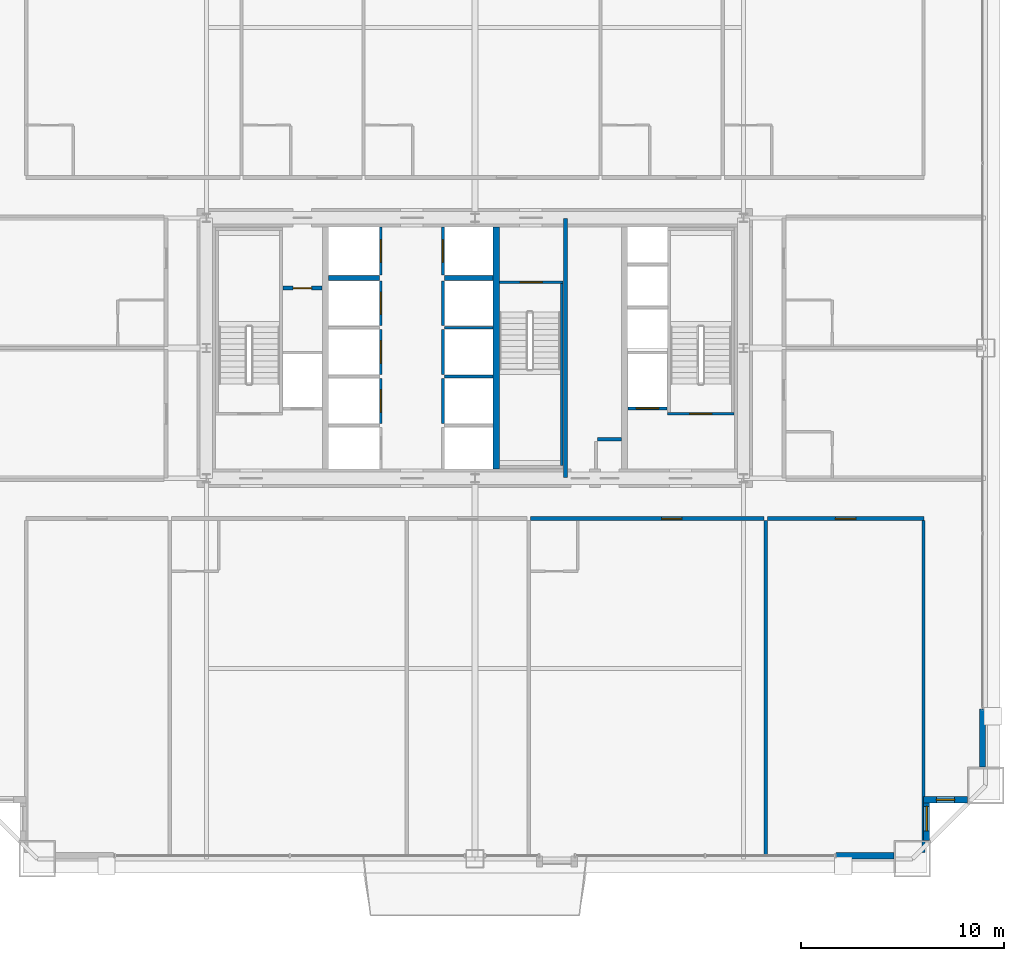
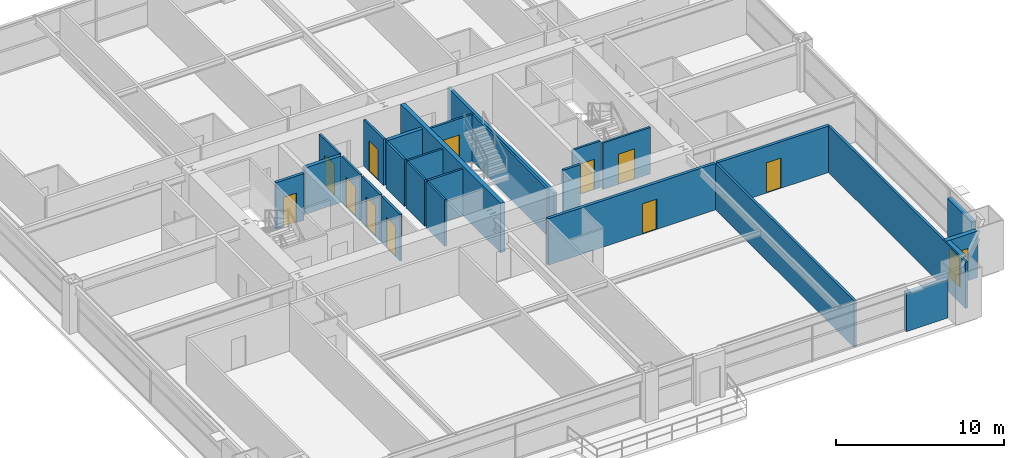
# One storey, part 40 of 43: 28 walls, 11 doors, 2 windows, 13 openings.
"""IFC4 building model written with IfcOpenShell, lengths in metres."""

from ifc_helpers import new_model, si_unit, direction, frame, frame_2d, origin, place, context, subcontext, project, spatial, rectangle, extrude, source, transform, mapped, material, layer, layer_set, type_object, element, fill, save


model = new_model("IFC4")

# Units and contexts
model_context = context("Model", 3, precision=1e-05, world=origin(), true_north=direction((0.0, 1.0)))
body_context = subcontext(model_context, "Body", "Model", "MODEL_VIEW")
ifc_project = project(units=[si_unit("LENGTHUNIT", "METRE"), si_unit("AREAUNIT", "SQUARE_METRE"), si_unit("VOLUMEUNIT", "CUBIC_METRE"), si_unit("PLANEANGLEUNIT", "RADIAN"), si_unit("MASSUNIT", "GRAM", prefix="KILO"), si_unit("THERMODYNAMICTEMPERATUREUNIT", "KELVIN"), si_unit("POWERUNIT", "WATT")], contexts=[model_context])

# Site, building, storey
site_placement = place(None, origin())
site = spatial("IfcSite", under=ifc_project, at=site_placement, CompositionType="ELEMENT")
building_placement = place(site_placement, origin())
building = spatial("IfcBuilding", under=site, at=building_placement, Name="Yuzanri Waterfront Tower", CompositionType="ELEMENT")
storey_placement = place(building_placement, frame((0.0, 0.0, 78.39990234375)))
storey = spatial("IfcBuildingStorey", under=building, at=storey_placement, Name="L20", CompositionType="ELEMENT", Elevation=78.39990234375)

# Wall, opening, window
ifc_material_1 = material(Name="Honed Chongqing Dark Basalt Stone", Category="masonry")
ifc_layer_1 = layer(ifc_material_1, 0.300048828125)
ifc_layer_set_1 = layer_set([ifc_layer_1], Name="Honed Chongqing Dark Basalt Stone")
wall_type_1 = type_object("IfcWallType", Name="Bronze Rainscreen Insulated Spandrel Portal Wall 300", PredefinedType="SOLIDWALL", material=ifc_layer_set_1)
wall_1_placement = place(storey_placement, frame((59.050048828125, 3.60009765625, 0.0), z_axis=(0.0, 0.0, 1.0), x_axis=(1.0, 0.0, 0.0)))
wall_1 = element("IfcWall", 1, at=wall_1_placement, inside=storey, type_object=wall_type_1, Name="L20 Notched Corner Masonry Wall SE-X", PredefinedType="SOLIDWALL", context=body_context, shape_type="SweptSolid", body=[
    extrude(rectangle(XDim=2.14990234375, YDim=0.300048828125, at=frame_2d((1.074951171875, 0.0))), origin(), (0.0, 0.0, 1.0), 3.380126953125),
])
opening_1_placement = place(wall_1_placement, frame((0.625, 0.0, 0.85009765625)))
opening_1 = element("IfcOpeningElement", 2, at=opening_1_placement, cuts=wall_1, Name="Opening WN-05", PredefinedType="OPENING", context=body_context, shape_type="SweptSolid", body=[
    extrude(rectangle(XDim=0.89990234375, YDim=1.5, at=frame_2d((0.449951171875, 0.75))), frame((0.0, 0.1650390625, 0.0), z_axis=(0.0, -1.0, 0.0), x_axis=(1.0, 0.0, 0.0)), (0.0, 0.0, 1.0), 0.329833984375),
])
ifc_material_2 = material(Name="Double-Silver Low-E Insulated Glass", Category="glass")
window_type_1 = type_object("IfcWindowType", Name="Anodized Bronze Service and Stairwell Smoke-Vent Window 900x1500", PartitioningType="SINGLE_PANEL", PredefinedType="WINDOW", material=ifc_material_2)
shared_shape_1 = source(origin(), body_context, "Body", "SweptSolid", [
    extrude(rectangle(XDim=0.89990234375, YDim=1.5, at=frame_2d((0.449951171875, 0.75))), frame((0.0, 0.030029296875, 0.0), z_axis=(0.0, -1.0, 0.0), x_axis=(1.0, 0.0, 0.0)), (0.0, 0.0, 1.0), 0.06005859375),
])
window_1_placement = place(opening_1_placement, origin())
window_1 = element("IfcWindow", 3, at=window_1_placement, inside=storey, type_object=window_type_1, Name="L20 Notched Corner Window SE-X", OverallHeight=1.5, OverallWidth=0.89990234375, PartitioningType="SINGLE_PANEL", PredefinedType="WINDOW", context=body_context, shape_type="MappedRepresentation", body=[
    mapped(shared_shape_1, transform((0.0, 0.0, 0.0), scale=1.0)),
])
fill(opening_1, window_1)

wall_2_placement = place(storey_placement, frame((59.199951171875, 1.60009765625, 0.0), z_axis=(0.0, 0.0, 1.0), x_axis=(0.0, 1.0, 0.0)))
wall_2 = element("IfcWall", 4, at=wall_2_placement, inside=storey, type_object=wall_type_1, Name="L20 Notched Corner Masonry Wall SE-Y", PredefinedType="SOLIDWALL", context=body_context, shape_type="SweptSolid", body=[
    extrude(rectangle(XDim=2.14990234375, YDim=0.300048828125, at=frame_2d((1.074951171875, 0.0))), origin(), (0.0, 0.0, 1.0), 3.380126953125),
])
opening_2_placement = place(wall_2_placement, frame((0.47509765625, 0.0, 0.85009765625)))
opening_2 = element("IfcOpeningElement", 5, at=opening_2_placement, cuts=wall_2, Name="Opening WN-02", PredefinedType="OPENING", context=body_context, shape_type="SweptSolid", body=[
    extrude(rectangle(XDim=1.199951171875, YDim=2.10009765625, at=frame_2d((0.60009765625, 1.050048828125))), frame((0.0, 0.1650390625, 0.0), z_axis=(0.0, -1.0, 0.0), x_axis=(1.0, 0.0, 0.0)), (0.0, 0.0, 1.0), 0.329833984375),
])
ifc_material_3 = material(Name="Double-Silver Low-E Insulated Glass", Category="glass")
window_type_2 = type_object("IfcWindowType", Name="Anodized Bronze Notched Corner Deep-Set Slot Window 1200x2100", PartitioningType="SINGLE_PANEL", PredefinedType="WINDOW", material=ifc_material_3)
shared_shape_2 = source(origin(), body_context, "Body", "SweptSolid", [
    extrude(rectangle(XDim=1.199951171875, YDim=2.10009765625, at=frame_2d((0.60009765625, 1.050048828125))), frame((0.0, 0.030029296875, 0.0), z_axis=(0.0, -1.0, 0.0), x_axis=(1.0, 0.0, 0.0)), (0.0, 0.0, 1.0), 0.06005859375),
])
window_2_placement = place(opening_2_placement, origin())
window_2 = element("IfcWindow", 6, at=window_2_placement, inside=storey, type_object=window_type_2, Name="L20 Notched Corner Window SE-Y", OverallHeight=2.10009765625, OverallWidth=1.199951171875, PartitioningType="SINGLE_PANEL", PredefinedType="WINDOW", context=body_context, shape_type="MappedRepresentation", body=[
    mapped(shared_shape_2, transform((0.0, 0.0, 0.0), scale=1.0)),
])
fill(opening_2, window_2)

# Wall, opening, door
ifc_material_4 = material(Name="Concrete C40", Category="concrete")
ifc_layer_2 = layer(ifc_material_4, 0.139892578125)
ifc_layer_set_2 = layer_set([ifc_layer_2], Name="Concrete C40")
wall_type_2 = type_object("IfcWallType", Name="Core Stair Liner and Hoistway Shaft Wall 140", PredefinedType="SOLIDWALL", material=ifc_layer_set_2)
wall_3_placement = place(storey_placement, frame((44.52001953125, 22.830078125, 0.0), z_axis=(0.0, 0.0, 1.0), x_axis=(1.0, 0.0, 0.0)))
wall_3 = element("IfcWall", 7, at=wall_3_placement, inside=storey, type_object=wall_type_2, Name="L20 Lift FL-02 Front Shaft Wall", PredefinedType="SOLIDWALL", context=body_context, shape_type="SweptSolid", body=[
    extrude(rectangle(XDim=1.919921875, YDim=0.139892578125, at=frame_2d((0.9599609375, 0.0))), origin(), (0.0, 0.0, 1.0), 3.380126953125),
])
opening_3_placement = place(wall_3_placement, frame((0.409912109375, 0.0, 0.0)))
opening_3 = element("IfcOpeningElement", 8, at=opening_3_placement, cuts=wall_3, Name="Opening LD-FL-02", PredefinedType="OPENING", context=body_context, shape_type="SweptSolid", body=[
    extrude(rectangle(XDim=1.10009765625, YDim=2.199951171875, at=frame_2d((0.550048828125, 1.10009765625))), frame((0.0, 0.0849609375, 0.0), z_axis=(0.0, -1.0, 0.0), x_axis=(1.0, 0.0, 0.0)), (0.0, 0.0, 1.0), 0.169677734375),
])
ifc_material_5 = material(Name="Brushed Bronze and Stainless Steel Cab", Category="steel")
door_type_1 = type_object("IfcDoorType", Name="Center-Parting Bronze Lift Landing Sliding Door 1100x2200", OperationType="NOTDEFINED", PredefinedType="DOOR", material=ifc_material_5)
shared_shape_3 = source(origin(), body_context, "Body", "SweptSolid", [
    extrude(rectangle(XDim=1.10009765625, YDim=2.199951171875, at=frame_2d((0.550048828125, 1.10009765625))), frame((0.0, 0.02490234375, 0.0), z_axis=(0.0, -1.0, 0.0), x_axis=(1.0, 0.0, 0.0)), (0.0, 0.0, 1.0), 0.050048828125),
])
door_1_placement = place(opening_3_placement, origin())
door_1 = element("IfcDoor", 9, at=door_1_placement, inside=storey, type_object=door_type_1, Name="L20 FL-02 Lift Landing Sliding Door", OperationType="SLIDING_TO_RIGHT", OverallHeight=2.199951171875, OverallWidth=1.10009765625, PredefinedType="DOOR", context=body_context, shape_type="MappedRepresentation", body=[
    mapped(shared_shape_3, transform((0.0, 0.0, 0.0), scale=1.0)),
])
fill(opening_3, door_1)

wall_4_placement = place(storey_placement, frame((32.3701171875, 22.10009765625, 0.0), z_axis=(0.0, 0.0, 1.0), x_axis=(0.0, 1.0, 0.0)))
wall_4 = element("IfcWall", 10, at=wall_4_placement, inside=storey, type_object=wall_type_2, Name="L20 Lift PL-02 Front Shaft Wall", PredefinedType="SOLIDWALL", context=body_context, shape_type="SweptSolid", body=[
    extrude(rectangle(XDim=2.199951171875, YDim=0.139892578125, at=frame_2d((1.10009765625, 0.0))), origin(), (0.0, 0.0, 1.0), 3.380126953125),
])
opening_4_placement = place(wall_4_placement, frame((0.550048828125, 0.0, 0.0)))
opening_4 = element("IfcOpeningElement", 11, at=opening_4_placement, cuts=wall_4, Name="Opening LD-PL-02", PredefinedType="OPENING", context=body_context, shape_type="SweptSolid", body=[
    extrude(rectangle(XDim=1.10009765625, YDim=2.199951171875, at=frame_2d((0.550048828125, 1.10009765625))), frame((0.0, 0.0849609375, 0.0), z_axis=(0.0, -1.0, 0.0), x_axis=(1.0, 0.0, 0.0)), (0.0, 0.0, 1.0), 0.169677734375),
])
door_2_placement = place(opening_4_placement, origin())
door_2 = element("IfcDoor", 12, at=door_2_placement, inside=storey, type_object=door_type_1, Name="L20 PL-02 Lift Landing Sliding Door", OperationType="SLIDING_TO_RIGHT", OverallHeight=2.199951171875, OverallWidth=1.10009765625, PredefinedType="DOOR", context=body_context, shape_type="MappedRepresentation", body=[
    mapped(shared_shape_3, transform((0.0, 0.0, 0.0), scale=1.0)),
])
fill(opening_4, door_2)

wall_5_placement = place(storey_placement, frame((32.3701171875, 24.5, 0.0), z_axis=(0.0, 0.0, 1.0), x_axis=(0.0, 1.0, 0.0)))
wall_5 = element("IfcWall", 13, at=wall_5_placement, inside=storey, type_object=wall_type_2, Name="L20 Lift PL-03 Front Shaft Wall", PredefinedType="SOLIDWALL", context=body_context, shape_type="SweptSolid", body=[
    extrude(rectangle(XDim=2.199951171875, YDim=0.139892578125, at=frame_2d((1.10009765625, 0.0))), origin(), (0.0, 0.0, 1.0), 3.380126953125),
])
opening_5_placement = place(wall_5_placement, frame((0.550048828125, 0.0, 0.0)))
opening_5 = element("IfcOpeningElement", 14, at=opening_5_placement, cuts=wall_5, Name="Opening LD-PL-03", PredefinedType="OPENING", context=body_context, shape_type="SweptSolid", body=[
    extrude(rectangle(XDim=1.10009765625, YDim=2.199951171875, at=frame_2d((0.550048828125, 1.10009765625))), frame((0.0, 0.0849609375, 0.0), z_axis=(0.0, -1.0, 0.0), x_axis=(1.0, 0.0, 0.0)), (0.0, 0.0, 1.0), 0.169677734375),
])
door_3_placement = place(opening_5_placement, origin())
door_3 = element("IfcDoor", 15, at=door_3_placement, inside=storey, type_object=door_type_1, Name="L20 PL-03 Lift Landing Sliding Door", OperationType="SLIDING_TO_LEFT", OverallHeight=2.199951171875, OverallWidth=1.10009765625, PredefinedType="DOOR", context=body_context, shape_type="MappedRepresentation", body=[
    mapped(shared_shape_3, transform((0.0, 0.0, 0.0), scale=1.0)),
])
fill(opening_5, door_3)

wall_6_placement = place(storey_placement, frame((32.3701171875, 26.89990234375, 0.0), z_axis=(0.0, 0.0, 1.0), x_axis=(0.0, 1.0, 0.0)))
wall_6 = element("IfcWall", 16, at=wall_6_placement, inside=storey, type_object=wall_type_2, Name="L20 Lift PL-04 Front Shaft Wall", PredefinedType="SOLIDWALL", context=body_context, shape_type="SweptSolid", body=[
    extrude(rectangle(XDim=2.2001953125, YDim=0.139892578125, at=frame_2d((1.10009765625, 0.0))), origin(), (0.0, 0.0, 1.0), 3.380126953125),
])
opening_6_placement = place(wall_6_placement, frame((0.550048828125, 0.0, 0.0)))
opening_6 = element("IfcOpeningElement", 17, at=opening_6_placement, cuts=wall_6, Name="Opening LD-PL-04", PredefinedType="OPENING", context=body_context, shape_type="SweptSolid", body=[
    extrude(rectangle(XDim=1.10009765625, YDim=2.199951171875, at=frame_2d((0.550048828125, 1.10009765625))), frame((0.0, 0.0849609375, 0.0), z_axis=(0.0, -1.0, 0.0), x_axis=(1.0, 0.0, 0.0)), (0.0, 0.0, 1.0), 0.169677734375),
])
door_4_placement = place(opening_6_placement, origin())
door_4 = element("IfcDoor", 18, at=door_4_placement, inside=storey, type_object=door_type_1, Name="L20 PL-04 Lift Landing Sliding Door", OperationType="SLIDING_TO_RIGHT", OverallHeight=2.199951171875, OverallWidth=1.10009765625, PredefinedType="DOOR", context=body_context, shape_type="MappedRepresentation", body=[
    mapped(shared_shape_3, transform((0.0, 0.0, 0.0), scale=1.0)),
])
fill(opening_6, door_4)

wall_7_placement = place(storey_placement, frame((32.3701171875, 29.39990234375, 0.0), z_axis=(0.0, 0.0, 1.0), x_axis=(0.0, 1.0, 0.0)))
wall_7 = element("IfcWall", 19, at=wall_7_placement, inside=storey, type_object=wall_type_2, Name="L20 Lift SL-01 Front Shaft Wall", PredefinedType="SOLIDWALL", context=body_context, shape_type="SweptSolid", body=[
    extrude(rectangle(XDim=2.340087890625, YDim=0.139892578125, at=frame_2d((1.169921875, 0.0))), origin(), (0.0, 0.0, 1.0), 3.380126953125),
])
opening_7_placement = place(wall_7_placement, frame((0.6201171875, 0.0, 0.0)))
opening_7 = element("IfcOpeningElement", 20, at=opening_7_placement, cuts=wall_7, Name="Opening LD-SL-01", PredefinedType="OPENING", context=body_context, shape_type="SweptSolid", body=[
    extrude(rectangle(XDim=1.10009765625, YDim=2.199951171875, at=frame_2d((0.550048828125, 1.10009765625))), frame((0.0, 0.0849609375, 0.0), z_axis=(0.0, -1.0, 0.0), x_axis=(1.0, 0.0, 0.0)), (0.0, 0.0, 1.0), 0.169677734375),
])
door_5_placement = place(opening_7_placement, origin())
door_5 = element("IfcDoor", 21, at=door_5_placement, inside=storey, type_object=door_type_1, Name="L20 SL-01 Lift Landing Sliding Door", OperationType="SLIDING_TO_LEFT", OverallHeight=2.199951171875, OverallWidth=1.10009765625, PredefinedType="DOOR", context=body_context, shape_type="MappedRepresentation", body=[
    mapped(shared_shape_3, transform((0.0, 0.0, 0.0), scale=1.0)),
])
fill(opening_7, door_5)

wall_8_placement = place(storey_placement, frame((35.429931640625, 29.39990234375, 0.0), z_axis=(0.0, 0.0, 1.0), x_axis=(0.0, 1.0, 0.0)))
wall_8 = element("IfcWall", 22, at=wall_8_placement, inside=storey, type_object=wall_type_2, Name="L20 Lift SL-02 Front Shaft Wall", PredefinedType="SOLIDWALL", context=body_context, shape_type="SweptSolid", body=[
    extrude(rectangle(XDim=2.340087890625, YDim=0.139892578125, at=frame_2d((1.169921875, 0.0))), origin(), (0.0, 0.0, 1.0), 3.380126953125),
])
opening_8_placement = place(wall_8_placement, frame((0.6201171875, 0.0, 0.0)))
opening_8 = element("IfcOpeningElement", 23, at=opening_8_placement, cuts=wall_8, Name="Opening LD-SL-02", PredefinedType="OPENING", context=body_context, shape_type="SweptSolid", body=[
    extrude(rectangle(XDim=1.10009765625, YDim=2.199951171875, at=frame_2d((0.550048828125, 1.10009765625))), frame((0.0, 0.0849609375, 0.0), z_axis=(0.0, -1.0, 0.0), x_axis=(1.0, 0.0, 0.0)), (0.0, 0.0, 1.0), 0.169677734375),
])
door_6_placement = place(opening_8_placement, origin())
door_6 = element("IfcDoor", 24, at=door_6_placement, inside=storey, type_object=door_type_1, Name="L20 SL-02 Lift Landing Sliding Door", OperationType="SLIDING_TO_RIGHT", OverallHeight=2.199951171875, OverallWidth=1.10009765625, PredefinedType="DOOR", context=body_context, shape_type="MappedRepresentation", body=[
    mapped(shared_shape_3, transform((0.0, 0.0, 0.0), scale=1.0)),
])
fill(opening_8, door_6)

wall_9_placement = place(storey_placement, frame((46.4599609375, 22.570068359375, 0.0), z_axis=(0.0, 0.0, 1.0), x_axis=(1.0, 0.0, 0.0)))
wall_9 = element("IfcWall", 25, at=wall_9_placement, inside=storey, type_object=wall_type_2, Name="L20 Shaft Wall STW-L20-ST-02-S", PredefinedType="SOLIDWALL", context=body_context, shape_type="SweptSolid", body=[
    extrude(rectangle(XDim=3.280029296875, YDim=0.139892578125, at=frame_2d((1.64013671875, 0.0))), origin(), (0.0, 0.0, 1.0), 3.380126953125),
])
opening_9_placement = place(wall_9_placement, frame((1.090087890625, 0.0, 0.0)))
opening_9 = element("IfcOpeningElement", 26, at=opening_9_placement, cuts=wall_9, Name="Opening FD-1100", PredefinedType="OPENING", context=body_context, shape_type="SweptSolid", body=[
    extrude(rectangle(XDim=1.10009765625, YDim=2.199951171875, at=frame_2d((0.550048828125, 1.10009765625))), frame((0.0, 0.0849609375, 0.0), z_axis=(0.0, -1.0, 0.0), x_axis=(1.0, 0.0, 0.0)), (0.0, 0.0, 1.0), 0.169677734375),
])
ifc_material_6 = material(Name="Painted Galvanized Fire Steel", Category="steel")
door_type_2 = type_object("IfcDoorType", Name="Smoke-Proof Stair and Lobby Fire Door 1100x2200", OperationType="NOTDEFINED", PredefinedType="DOOR", material=ifc_material_6)
shared_shape_4 = source(origin(), body_context, "Body", "SweptSolid", [
    extrude(rectangle(XDim=1.10009765625, YDim=2.199951171875, at=frame_2d((0.550048828125, 1.10009765625))), frame((0.0, 0.02490234375, 0.0), z_axis=(0.0, -1.0, 0.0), x_axis=(1.0, 0.0, 0.0)), (0.0, 0.0, 1.0), 0.050048828125),
])
door_7_placement = place(opening_9_placement, origin())
door_7 = element("IfcDoor", 27, at=door_7_placement, inside=storey, type_object=door_type_2, Name="L20 Stair ST-02 Fire Door", OperationType="SINGLE_SWING_LEFT", OverallHeight=2.199951171875, OverallWidth=1.10009765625, PredefinedType="DOOR", context=body_context, shape_type="MappedRepresentation", body=[
    mapped(shared_shape_4, transform((0.0, 0.0, 0.0), scale=1.0)),
])
fill(opening_9, door_7)

wall_10_placement = place(storey_placement, frame((38.199951171875, 29.030029296875, 0.0), z_axis=(0.0, 0.0, 1.0), x_axis=(1.0, 0.0, 0.0)))
wall_10 = element("IfcWall", 28, at=wall_10_placement, inside=storey, type_object=wall_type_2, Name="L20 Shaft Wall STW-L20-ST-03-N", PredefinedType="SOLIDWALL", context=body_context, shape_type="SweptSolid", body=[
    extrude(rectangle(XDim=3.14013671875, YDim=0.139892578125, at=frame_2d((1.570068359375, 0.0))), origin(), (0.0, 0.0, 1.0), 3.380126953125),
])
opening_10_placement = place(wall_10_placement, frame((1.02001953125, 0.0, 0.0)))
opening_10 = element("IfcOpeningElement", 29, at=opening_10_placement, cuts=wall_10, Name="Opening FD-1100", PredefinedType="OPENING", context=body_context, shape_type="SweptSolid", body=[
    extrude(rectangle(XDim=1.10009765625, YDim=2.199951171875, at=frame_2d((0.550048828125, 1.10009765625))), frame((0.0, 0.0849609375, 0.0), z_axis=(0.0, -1.0, 0.0), x_axis=(1.0, 0.0, 0.0)), (0.0, 0.0, 1.0), 0.169677734375),
])
door_8_placement = place(opening_10_placement, origin())
door_8 = element("IfcDoor", 30, at=door_8_placement, inside=storey, type_object=door_type_2, Name="L20 Stair ST-03 Fire Door", OperationType="SINGLE_SWING_RIGHT", OverallHeight=2.199951171875, OverallWidth=1.10009765625, PredefinedType="DOOR", context=body_context, shape_type="MappedRepresentation", body=[
    mapped(shared_shape_4, transform((0.0, 0.0, 0.0), scale=1.0)),
])
fill(opening_10, door_8)

ifc_material_7 = material(Name="Autoclaved Aerated Concrete Blockwork", Category="masonry")
ifc_layer_3 = layer(ifc_material_7, 0.199951171875)
ifc_layer_set_3 = layer_set([ifc_layer_3], Name="Autoclaved Aerated Concrete Blockwork")
wall_type_3 = type_object("IfcWallType", Name="Corridor and Unit Party Fire Wall 200", PredefinedType="PARTITIONING", material=ifc_layer_set_3)
wall_11_placement = place(storey_placement, frame((27.56005859375, 28.75, 0.0), z_axis=(0.0, 0.0, 1.0), x_axis=(1.0, 0.0, 0.0)))
wall_11 = element("IfcWall", 31, at=wall_11_placement, inside=storey, type_object=wall_type_3, Name="L20 Partition CRW-L20-ERTR", PredefinedType="PARTITIONING", context=body_context, shape_type="SweptSolid", body=[
    extrude(rectangle(XDim=1.919921875, YDim=0.199951171875, at=frame_2d((0.9599609375, 0.0))), origin(), (0.0, 0.0, 1.0), 3.380126953125),
])
opening_11_placement = place(wall_11_placement, frame((0.510009765625, 0.0, 0.0)))
opening_11 = element("IfcOpeningElement", 32, at=opening_11_placement, cuts=wall_11, Name="Opening FD-0900", PredefinedType="OPENING", context=body_context, shape_type="SweptSolid", body=[
    extrude(rectangle(XDim=0.89990234375, YDim=2.14990234375, at=frame_2d((0.449951171875, 1.074951171875))), frame((0.0, 0.11474609375, 0.0), z_axis=(0.0, -1.0, 0.0), x_axis=(1.0, 0.0, 0.0)), (0.0, 0.0, 1.0), 0.229736328125),
])
ifc_material_8 = material(Name="Painted Galvanized Fire Steel", Category="steel")
door_type_3 = type_object("IfcDoorType", Name="Riser and Service Room Fire Door 900x2150", OperationType="NOTDEFINED", PredefinedType="DOOR", material=ifc_material_8)
shared_shape_5 = source(origin(), body_context, "Body", "SweptSolid", [
    extrude(rectangle(XDim=0.89990234375, YDim=2.14990234375, at=frame_2d((0.449951171875, 1.074951171875))), frame((0.0, 0.02490234375, 0.0), z_axis=(0.0, -1.0, 0.0), x_axis=(1.0, 0.0, 0.0)), (0.0, 0.0, 1.0), 0.050048828125),
])
door_9_placement = place(opening_11_placement, origin())
door_9 = element("IfcDoor", 33, at=door_9_placement, inside=storey, type_object=door_type_3, Name="L20 Electrical Riser Door", OperationType="SINGLE_SWING_LEFT", OverallHeight=2.14990234375, OverallWidth=0.89990234375, PredefinedType="DOOR", context=body_context, shape_type="MappedRepresentation", body=[
    mapped(shared_shape_5, transform((0.0, 0.0, 0.0), scale=1.0)),
])
fill(opening_11, door_9)

wall_12_placement = place(storey_placement, frame((39.72705078125, 17.419921875, 0.0), z_axis=(0.0, 0.0, 1.0), x_axis=(1.0, 0.0, 0.0)))
wall_12 = element("IfcWall", 34, at=wall_12_placement, inside=storey, type_object=wall_type_3, Name="L20 Partition UW-L20-S4-CN", PredefinedType="PARTITIONING", context=body_context, shape_type="SweptSolid", body=[
    extrude(rectangle(XDim=11.488037109375, YDim=0.199951171875, at=frame_2d((5.744140625, 0.0))), origin(), (0.0, 0.0, 1.0), 3.380126953125),
])
opening_12_placement = place(wall_12_placement, frame((6.448974609375, 0.0, 0.0)))
opening_12 = element("IfcOpeningElement", 35, at=opening_12_placement, cuts=wall_12, Name="Opening FD-1000", PredefinedType="OPENING", context=body_context, shape_type="SweptSolid", body=[
    extrude(rectangle(XDim=1.0, YDim=2.199951171875, at=frame_2d((0.5, 1.10009765625))), frame((0.0, 0.11474609375, 0.0), z_axis=(0.0, -1.0, 0.0), x_axis=(1.0, 0.0, 0.0)), (0.0, 0.0, 1.0), 0.229736328125),
])
ifc_material_9 = material(Name="Engineered Oak Fire-Rated Timber", Category="wood")
door_type_4 = type_object("IfcDoorType", Name="Guestroom and Apartment Entrance Fire Door 1000x2200", OperationType="NOTDEFINED", PredefinedType="DOOR", material=ifc_material_9)
shared_shape_6 = source(origin(), body_context, "Body", "SweptSolid", [
    extrude(rectangle(XDim=1.0, YDim=2.199951171875, at=frame_2d((0.5, 1.10009765625))), frame((0.0, 0.02490234375, 0.0), z_axis=(0.0, -1.0, 0.0), x_axis=(1.0, 0.0, 0.0)), (0.0, 0.0, 1.0), 0.050048828125),
])
door_10_placement = place(opening_12_placement, origin())
door_10 = element("IfcDoor", 36, at=door_10_placement, inside=storey, type_object=door_type_4, Name="L20 Royal Riverfront Suite Entrance Door", OperationType="SINGLE_SWING_RIGHT", OverallHeight=2.199951171875, OverallWidth=1.0, PredefinedType="DOOR", context=body_context, shape_type="MappedRepresentation", body=[
    mapped(shared_shape_6, transform((0.0, 0.0, 0.0), scale=1.0)),
])
fill(opening_12, door_10)

wall_13_placement = place(storey_placement, frame((51.375, 17.419921875, 0.0), z_axis=(0.0, 0.0, 1.0), x_axis=(1.0, 0.0, 0.0)))
wall_13 = element("IfcWall", 37, at=wall_13_placement, inside=storey, type_object=wall_type_3, Name="L20 Partition UW-L20-S5-CN", PredefinedType="PARTITIONING", context=body_context, shape_type="SweptSolid", body=[
    extrude(rectangle(XDim=7.68505859375, YDim=0.199951171875, at=frame_2d((3.842529296875, 0.0))), origin(), (0.0, 0.0, 1.0), 3.380126953125),
])
opening_13_placement = place(wall_13_placement, frame((3.343017578125, 0.0, 0.0)))
opening_13 = element("IfcOpeningElement", 38, at=opening_13_placement, cuts=wall_13, Name="Opening FD-1000", PredefinedType="OPENING", context=body_context, shape_type="SweptSolid", body=[
    extrude(rectangle(XDim=1.0, YDim=2.199951171875, at=frame_2d((0.5, 1.10009765625))), frame((0.0, 0.11474609375, 0.0), z_axis=(0.0, -1.0, 0.0), x_axis=(1.0, 0.0, 0.0)), (0.0, 0.0, 1.0), 0.229736328125),
])
door_11_placement = place(opening_13_placement, origin())
door_11 = element("IfcDoor", 39, at=door_11_placement, inside=storey, type_object=door_type_4, Name="L20 Connoisseur Club Room Entrance Door", OperationType="SINGLE_SWING_RIGHT", OverallHeight=2.199951171875, OverallWidth=1.0, PredefinedType="DOOR", context=body_context, shape_type="MappedRepresentation", body=[
    mapped(shared_shape_6, transform((0.0, 0.0, 0.0), scale=1.0)),
])
fill(opening_13, door_11)

# Walls
ifc_material_10 = material(Name="Concrete C50", Category="concrete")
ifc_layer_4 = layer(ifc_material_10, 0.300048828125)
ifc_layer_set_4 = layer_set([ifc_layer_4], Name="Concrete C50")
wall_type_4 = type_object("IfcWallType", Name="Concrete C50 Internal Core Shaft Structural Wall 300", PredefinedType="SOLIDWALL", material=ifc_layer_set_4)
shared_shape_7 = source(origin(), body_context, "Body", "SweptSolid", [
    extrude(rectangle(XDim=11.89990234375, YDim=0.300048828125, at=frame_2d((5.949951171875, 0.0))), origin(), (0.0, 0.0, 1.0), 3.60009765625),
])
wall_14_placement = place(storey_placement, frame((38.050048828125, 19.85009765625, 0.0), z_axis=(0.0, 0.0, 1.0), x_axis=(0.0, 1.0, 0.0)))
element("IfcWall", 40, at=wall_14_placement, inside=storey, type_object=wall_type_4, Name="L20 Core Internal Structural Web Wall 2", PredefinedType="SOLIDWALL", context=body_context, shape_type="MappedRepresentation", body=[
    mapped(shared_shape_7, transform((0.0, 0.0, 0.0), scale=1.0)),
])
shared_shape_8 = source(origin(), body_context, "Body", "SweptSolid", [
    extrude(rectangle(XDim=2.85009765625, YDim=0.300048828125, at=frame_2d((1.425048828125, 0.0))), origin(), (0.0, 0.0, 1.0), 2.775146484375),
])
for number, where, z_axis, x_axis, name in (
    (41, (54.75, 0.85009765625, 0.0), (0.0, 0.0, 1.0), (1.0, 0.0, 0.0), "L20 S Right Braced Masonry Shoulder"),
    (42, (61.949951171875, 5.199951171875, 0.0), (0.0, 0.0, 1.0), (0.0, 1.0, 0.0), "L20 E Left Braced Masonry Shoulder"),
):
    element("IfcWall", number, at=place(storey_placement, frame(where, z_axis=z_axis, x_axis=x_axis)), inside=storey, type_object=wall_type_1, Name=name, PredefinedType="SOLIDWALL", context=body_context, shape_type="MappedRepresentation", body=[
        mapped(shared_shape_8, transform((0.0, 0.0, 0.0), scale=1.0)),
    ])
ifc_material_11 = material(Name="Concrete C40", Category="concrete")
ifc_layer_5 = layer(ifc_material_11, 0.25)
ifc_layer_set_5 = layer_set([ifc_layer_5], Name="Concrete C40")
wall_type_5 = type_object("IfcWallType", Name="Smoke-Proof Stair and Lift Shaft Wall 250", PredefinedType="SOLIDWALL", material=ifc_layer_set_5)
shared_shape_9 = source(origin(), body_context, "Body", "SweptSolid", [
    extrude(rectangle(XDim=2.5, YDim=0.25, at=frame_2d((1.25, 0.0))), origin(), (0.0, 0.0, 1.0), 3.380126953125),
])
wall_15_placement = place(storey_placement, frame((29.800048828125, 29.25, 0.0), z_axis=(0.0, 0.0, 1.0), x_axis=(1.0, 0.0, 0.0)))
element("IfcWall", 43, at=wall_15_placement, inside=storey, type_object=wall_type_5, Name="L20 Lift SL-01 South Shaft Wall", PredefinedType="SOLIDWALL", context=body_context, shape_type="MappedRepresentation", body=[
    mapped(shared_shape_9, transform((0.0, 0.0, 0.0), scale=1.0)),
])
shared_shape_10 = source(origin(), body_context, "Body", "SweptSolid", [
    extrude(rectangle(XDim=2.39990234375, YDim=0.139892578125, at=frame_2d((1.199951171875, 0.0))), origin(), (0.0, 0.0, 1.0), 3.380126953125),
])
for number, where, z_axis, x_axis, name in (
    (44, (35.5, 24.39990234375, 0.0), (0.0, 0.0, 1.0), (1.0, 0.0, 0.0), "L20 Lift PL-06 Divider Wall"),
    (45, (35.5, 26.800048828125, 0.0), (0.0, 0.0, 1.0), (1.0, 0.0, 0.0), "L20 Lift PL-07 Divider Wall"),
):
    element("IfcWall", number, at=place(storey_placement, frame(where, z_axis=z_axis, x_axis=x_axis)), inside=storey, type_object=wall_type_2, Name=name, PredefinedType="SOLIDWALL", context=body_context, shape_type="MappedRepresentation", body=[
        mapped(shared_shape_10, transform((0.0, 0.0, 0.0), scale=1.0)),
    ])
shared_shape_11 = source(origin(), body_context, "Body", "SweptSolid", [
    extrude(rectangle(XDim=2.199951171875, YDim=0.139892578125, at=frame_2d((1.10009765625, 0.0))), origin(), (0.0, 0.0, 1.0), 3.380126953125),
])
for number, where, z_axis, x_axis, name in (
    (46, (35.429931640625, 22.10009765625, 0.0), (0.0, 0.0, 1.0), (0.0, 1.0, 0.0), "L20 Lift PL-06 Front Shaft Wall"),
    (47, (35.429931640625, 24.5, 0.0), (0.0, 0.0, 1.0), (0.0, 1.0, 0.0), "L20 Lift PL-07 Front Shaft Wall"),
):
    element("IfcWall", number, at=place(storey_placement, frame(where, z_axis=z_axis, x_axis=x_axis)), inside=storey, type_object=wall_type_2, Name=name, PredefinedType="SOLIDWALL", context=body_context, shape_type="MappedRepresentation", body=[
        mapped(shared_shape_11, transform((0.0, 0.0, 0.0), scale=1.0)),
    ])
shared_shape_12 = source(origin(), body_context, "Body", "SweptSolid", [
    extrude(rectangle(XDim=2.2001953125, YDim=0.139892578125, at=frame_2d((1.10009765625, 0.0))), origin(), (0.0, 0.0, 1.0), 3.380126953125),
])
wall_16_placement = place(storey_placement, frame((35.429931640625, 26.89990234375, 0.0), z_axis=(0.0, 0.0, 1.0), x_axis=(0.0, 1.0, 0.0)))
element("IfcWall", 48, at=wall_16_placement, inside=storey, type_object=wall_type_2, Name="L20 Lift PL-08 Front Shaft Wall", PredefinedType="SOLIDWALL", context=body_context, shape_type="MappedRepresentation", body=[
    mapped(shared_shape_12, transform((0.0, 0.0, 0.0), scale=1.0)),
])
shared_shape_13 = source(origin(), body_context, "Body", "SweptSolid", [
    extrude(rectangle(XDim=2.39990234375, YDim=0.25, at=frame_2d((1.199951171875, 0.0))), origin(), (0.0, 0.0, 1.0), 3.380126953125),
])
wall_17_placement = place(storey_placement, frame((35.5, 29.25, 0.0), z_axis=(0.0, 0.0, 1.0), x_axis=(1.0, 0.0, 0.0)))
element("IfcWall", 49, at=wall_17_placement, inside=storey, type_object=wall_type_5, Name="L20 Lift SL-02 South Shaft Wall", PredefinedType="SOLIDWALL", context=body_context, shape_type="MappedRepresentation", body=[
    mapped(shared_shape_13, transform((0.0, 0.0, 0.0), scale=1.0)),
])
shared_shape_14 = source(origin(), body_context, "Body", "SweptSolid", [
    extrude(rectangle(XDim=8.93994140625, YDim=0.139892578125, at=frame_2d((4.469970703125, 0.0))), origin(), (0.0, 0.0, 1.0), 3.380126953125),
])
wall_18_placement = place(storey_placement, frame((41.27001953125, 20.02001953125, 0.0), z_axis=(0.0, 0.0, 1.0), x_axis=(0.0, 1.0, 0.0)))
element("IfcWall", 50, at=wall_18_placement, inside=storey, type_object=wall_type_2, Name="L20 Stair ST-03 East Shaft Wall", PredefinedType="SOLIDWALL", context=body_context, shape_type="MappedRepresentation", body=[
    mapped(shared_shape_14, transform((0.0, 0.0, 0.0), scale=1.0)),
])
ifc_material_12 = material(Name="Gypsum Fireboard Acoustic Stud Wall", Category="gypsum")
ifc_layer_6 = layer(ifc_material_12, 0.159912109375)
ifc_layer_set_6 = layer_set([ifc_layer_6], Name="Gypsum Fireboard Acoustic Stud Wall")
wall_type_6 = type_object("IfcWallType", Name="Acoustic Suite Demising Partition 160", PredefinedType="PARTITIONING", material=ifc_layer_set_6)
shared_shape_15 = source(origin(), body_context, "Body", "SweptSolid", [
    extrude(rectangle(XDim=1.169921875, YDim=0.159912109375, at=frame_2d((0.5849609375, 0.0))), origin(), (0.0, 0.0, 1.0), 3.380126953125),
])
wall_19_placement = place(storey_placement, frame((43.030029296875, 21.320068359375, 0.0), z_axis=(0.0, 0.0, 1.0), x_axis=(1.0, 0.0, 0.0)))
element("IfcWall", 51, at=wall_19_placement, inside=storey, type_object=wall_type_6, Name="L20 East Wet Riser North Wall", PredefinedType="PARTITIONING", context=body_context, shape_type="MappedRepresentation", body=[
    mapped(shared_shape_15, transform((0.0, 0.0, 0.0), scale=1.0)),
])
shared_shape_16 = source(origin(), body_context, "Body", "SweptSolid", [
    extrude(rectangle(XDim=12.719970703125, YDim=0.199951171875, at=frame_2d((6.35986328125, 0.0))), origin(), (0.0, 0.0, 1.0), 3.380126953125),
])
wall_20_placement = place(storey_placement, frame((41.449951171875, 19.43994140625, 0.0), z_axis=(0.0, 0.0, 1.0), x_axis=(0.0, 1.0, 0.0)))
element("IfcWall", 52, at=wall_20_placement, inside=storey, type_object=wall_type_3, Name="L20 Core BOH West Wall 1", PredefinedType="PARTITIONING", context=body_context, shape_type="MappedRepresentation", body=[
    mapped(shared_shape_16, transform((0.0, 0.0, 0.0), scale=1.0)),
])
shared_shape_17 = source(origin(), body_context, "Body", "SweptSolid", [
    extrude(rectangle(XDim=16.469970703125, YDim=0.159912109375, at=frame_2d((8.23486328125, 0.0))), origin(), (0.0, 0.0, 1.0), 3.380126953125),
])
wall_21_placement = place(storey_placement, frame((51.294921875, 0.85009765625, 0.0), z_axis=(0.0, 0.0, 1.0), x_axis=(0.0, 1.0, 0.0)))
element("IfcWall", 53, at=wall_21_placement, inside=storey, type_object=wall_type_6, Name="L20-S4 Party Wall", PredefinedType="PARTITIONING", context=body_context, shape_type="MappedRepresentation", body=[
    mapped(shared_shape_17, transform((0.0, 0.0, 0.0), scale=1.0)),
])
shared_shape_18 = source(origin(), body_context, "Body", "SweptSolid", [
    extrude(rectangle(XDim=16.320068359375, YDim=0.159912109375, at=frame_2d((8.16015625, 0.0))), origin(), (0.0, 0.0, 1.0), 3.380126953125),
])
wall_22_placement = place(storey_placement, frame((59.050048828125, 1.0, 0.0), z_axis=(0.0, 0.0, 1.0), x_axis=(0.0, 1.0, 0.0)))
element("IfcWall", 54, at=wall_22_placement, inside=storey, type_object=wall_type_6, Name="L20 South Band East End Wall", PredefinedType="PARTITIONING", context=body_context, shape_type="MappedRepresentation", body=[
    mapped(shared_shape_18, transform((0.0, 0.0, 0.0), scale=1.0)),
])

save(model, "model.ifc")
